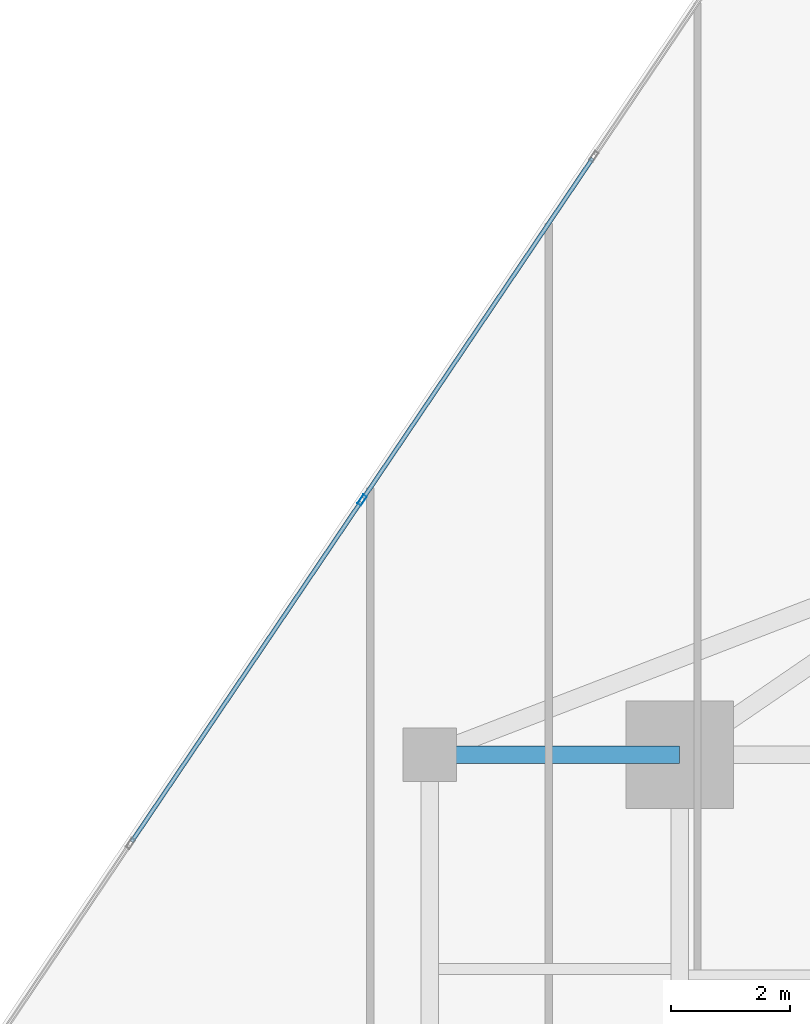
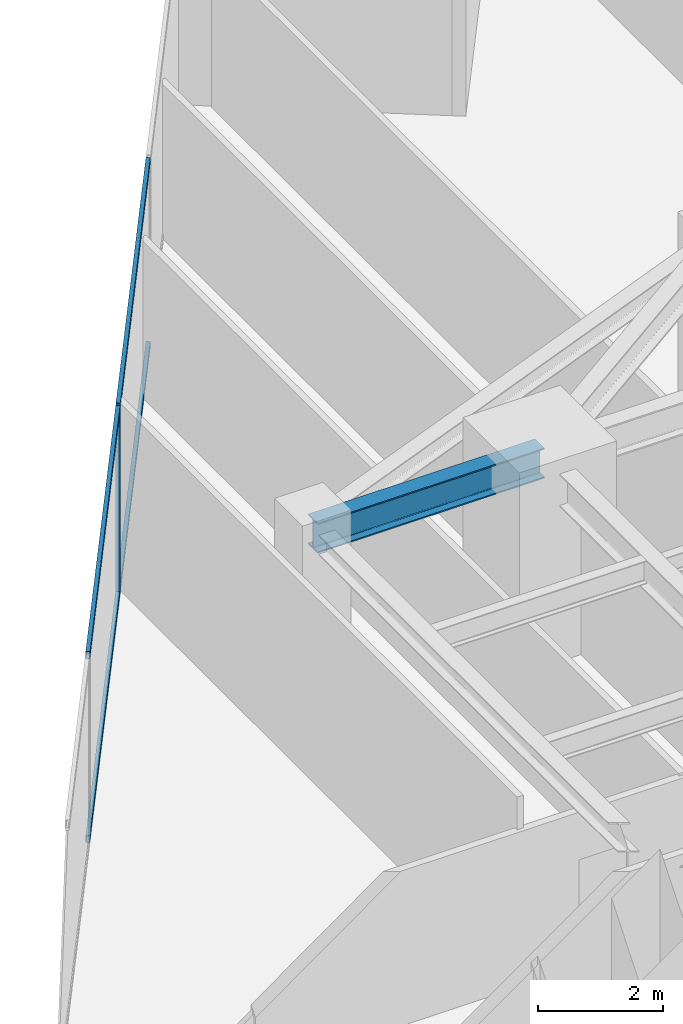
# One storey, part 14 of 27: 5 members, 1 beam, 1 element without a shape of its own.
"""IFC4 building model written with IfcOpenShell, lengths in metres."""

from ifc_helpers import new_model, si_unit, direction, frame, origin, origin_2d, place, context, subcontext, project, spatial, hollow_rectangle, i_section, extrude, source, transform, mapped, material, material_profile, profile_set, type_object, type_shapes, element, aggregate, save


model = new_model("IFC4")

# Units and contexts
model_context = context("Model", 3, precision=1e-05, world=origin(), true_north=direction((0.0, 1.0)))
body_context = subcontext(model_context, "Body", "Model", "MODEL_VIEW")
ifc_project = project(units=[si_unit("LENGTHUNIT", "METRE"), si_unit("AREAUNIT", "SQUARE_METRE"), si_unit("VOLUMEUNIT", "CUBIC_METRE"), si_unit("PLANEANGLEUNIT", "RADIAN"), si_unit("MASSUNIT", "GRAM", prefix="KILO")], contexts=[model_context])

# Site, building, storey
site_placement = place(None, origin())
site = spatial("IfcSite", under=ifc_project, at=site_placement, CompositionType="ELEMENT")
building_placement = place(site_placement, origin())
building = spatial("IfcBuilding", under=site, at=building_placement, Name="Krantzveldt Concourse Tower", CompositionType="ELEMENT")
storey_placement = place(building_placement, frame((0.0, 0.0, 189.64990234375)))
storey = spatial("IfcBuildingStorey", under=building, at=storey_placement, Name="L46", CompositionType="ELEMENT", Elevation=189.64990234375)

# Beam
ifc_material_1 = material(Name="Steel S355JR", Category="steel")
ifc_material_profile_1 = material_profile(ifc_material_1, i_section(OverallWidth=0.300048828125, OverallDepth=0.590087890625, WebThickness=0.012939453125, FlangeThickness=0.02490234375, FilletRadius=0.027099609375, at=origin_2d()), Name="Steel S355JR", Category="steel")
ifc_profile_set_1 = profile_set([ifc_material_profile_1], Name="Steel S355JR - HEA 600")
beam_type = type_object("IfcBeamType", Name="BM-B-HEA600", PredefinedType="BEAM", material=ifc_profile_set_1)
shared_shape_1 = source(origin(), body_context, "Body", "SweptSolid", [
    extrude(i_section(OverallWidth=0.300048828125, OverallDepth=0.590087890625, WebThickness=0.012939453125, FlangeThickness=0.02490234375, FilletRadius=0.027099609375, at=origin_2d()), origin(), (0.0, 0.0, 1.0), 4.199951171875),
])
type_shapes(beam_type, [shared_shape_1])
beam_placement = place(storey_placement, frame((21.0, 37.5, 3.375), z_axis=(1.0, 0.0, 0.0), x_axis=(0.0, 1.0, 0.0)))
element("IfcBeam", 1, at=beam_placement, inside=storey, type_object=beam_type, Name="L46 Tower Girder BR-RL3", PredefinedType="BEAM", context=body_context, shape_type="MappedRepresentation", body=[
    mapped(shared_shape_1, transform((0.0, 0.0, 0.0), x_axis=(1.0, 0.0, 0.0), y_axis=(0.0, 1.0, 0.0), z_axis=(0.0, 0.0, 1.0), scale=1.0)),
])

# Curtain wall, members
ifc_material_2 = material(Name="Anodised aluminium 6063-T6", Category="aluminium")
curtain_wall_type = type_object("IfcCurtainWallType", Name="CW3", PredefinedType="USERDEFINED", material=ifc_material_2)
curtain_wall_placement = place(storey_placement, origin())
curtain_wall = element("IfcCurtainWall", 2, at=curtain_wall_placement, inside=storey, type_object=curtain_wall_type, Name="CW-L46-F01", ObjectType="UNITISED CURTAIN WALL", PredefinedType="USERDEFINED")
ifc_material_profile_2 = material_profile(ifc_material_2, hollow_rectangle(XDim=0.070068359375, YDim=0.179931640625, WallThickness=0.0048828125, at=origin_2d()), Name="Anodised aluminium 6063-T6", Category="aluminium")
ifc_profile_set_2 = profile_set([ifc_material_profile_2], Name="Anodised aluminium 6063-T6 - ALU-MULL 180x70x5")
member_type_1 = type_object("IfcMemberType", Name="CW-MUL-180", PredefinedType="MULLION", material=ifc_profile_set_2)
shared_shape_2 = source(origin(), body_context, "Body", "SweptSolid", [
    extrude(hollow_rectangle(XDim=0.070068359375, YDim=0.179931640625, WallThickness=0.0048828125, at=origin_2d()), origin(), (0.0, 0.0, 1.0), 3.670166015625),
])
type_shapes(member_type_1, [shared_shape_2])
member_1_placement = place(storey_placement, frame((19.86474609375, 41.781005859375, 0.0), z_axis=(0.0, 0.0, 1.0), x_axis=(0.829037635301, -0.559192810447, 0.0)))
member_1 = element("IfcMember", 3, at=member_1_placement, type_object=member_type_1, Name="CW-Z34 mullion 3", PredefinedType="MULLION", context=body_context, shape_type="MappedRepresentation", body=[
    mapped(shared_shape_2, transform((0.0, 0.0, 0.0), x_axis=(1.0, 0.0, 0.0), y_axis=(0.0, 1.0, 0.0), z_axis=(0.0, 0.0, 1.0), scale=1.0)),
])
ifc_material_profile_3 = material_profile(ifc_material_2, hollow_rectangle(XDim=0.070068359375, YDim=0.139892578125, WallThickness=0.0048828125, at=origin_2d()), Name="Anodised aluminium 6063-T6", Category="aluminium")
ifc_profile_set_3 = profile_set([ifc_material_profile_3], Name="Anodised aluminium 6063-T6 - ALU-TRAN 140x70x5")
member_type_2 = type_object("IfcMemberType", Name="CW-TRN-150", PredefinedType="USERDEFINED", material=ifc_profile_set_3)
shared_shape_3 = source(origin(), body_context, "Body", "SweptSolid", [
    extrude(hollow_rectangle(XDim=0.070068359375, YDim=0.139892578125, WallThickness=0.0048828125, at=origin_2d()), origin(), (0.0, 0.0, 1.0), 6.89013671875),
])
member_2_placement = place(storey_placement, frame((23.737060546875, 47.522216796875, 0.03515625), z_axis=(-0.559181316648, -0.829045387848, 0.0), x_axis=(0.829045387848, -0.559181316648, 0.0)))
member_2 = element("IfcMember", 4, at=member_2_placement, type_object=member_type_2, Name="CW-Z34 transom 2.1", ObjectType="TRANSOM", PredefinedType="USERDEFINED", context=body_context, shape_type="MappedRepresentation", body=[
    mapped(shared_shape_3, transform((0.0, 0.0, 0.0), x_axis=(1.0, 0.0, 0.0), y_axis=(0.0, 1.0, 0.0), z_axis=(0.0, 0.0, 1.0), scale=1.0)),
])
member_3_placement = place(storey_placement, frame((23.737060546875, 47.522216796875, 3.635009765625), z_axis=(-0.559181316648, -0.829045387848, 0.0), x_axis=(0.829045387848, -0.559181316648, 0.0)))
member_3 = element("IfcMember", 5, at=member_3_placement, type_object=member_type_2, Name="CW-Z34 transom 2.2", ObjectType="TRANSOM", PredefinedType="USERDEFINED", context=body_context, shape_type="MappedRepresentation", body=[
    mapped(shared_shape_3, transform((0.0, 0.0, 0.0), x_axis=(1.0, 0.0, 0.0), y_axis=(0.0, 1.0, 0.0), z_axis=(0.0, 0.0, 1.0), scale=1.0)),
])
shared_shape_4 = source(origin(), body_context, "Body", "SweptSolid", [
    extrude(hollow_rectangle(XDim=0.070068359375, YDim=0.139892578125, WallThickness=0.0048828125, at=origin_2d()), origin(), (0.0, 0.0, 1.0), 6.889892578125),
])
type_shapes(member_type_2, [shared_shape_3, shared_shape_4])
member_4_placement = place(storey_placement, frame((19.84521484375, 41.751953125, 0.03515625), z_axis=(-0.559222097264, -0.829017880345, 0.0), x_axis=(0.829017880345, -0.559222097264, 0.0)))
member_4 = element("IfcMember", 6, at=member_4_placement, type_object=member_type_2, Name="CW-Z34 transom 3.1", ObjectType="TRANSOM", PredefinedType="USERDEFINED", context=body_context, shape_type="MappedRepresentation", body=[
    mapped(shared_shape_4, transform((0.0, 0.0, 0.0), x_axis=(1.0, 0.0, 0.0), y_axis=(0.0, 1.0, 0.0), z_axis=(0.0, 0.0, 1.0), scale=1.0)),
])
member_5_placement = place(storey_placement, frame((19.84521484375, 41.751953125, 3.635009765625), z_axis=(-0.559222097264, -0.829017880345, 0.0), x_axis=(0.829017880345, -0.559222097264, 0.0)))
member_5 = element("IfcMember", 7, at=member_5_placement, type_object=member_type_2, Name="CW-Z34 transom 3.2", ObjectType="TRANSOM", PredefinedType="USERDEFINED", context=body_context, shape_type="MappedRepresentation", body=[
    mapped(shared_shape_4, transform((0.0, 0.0, 0.0), x_axis=(1.0, 0.0, 0.0), y_axis=(0.0, 1.0, 0.0), z_axis=(0.0, 0.0, 1.0), scale=1.0)),
])
aggregate(curtain_wall, [member_1, member_2, member_3, member_4, member_5])

save(model, "model.ifc")
